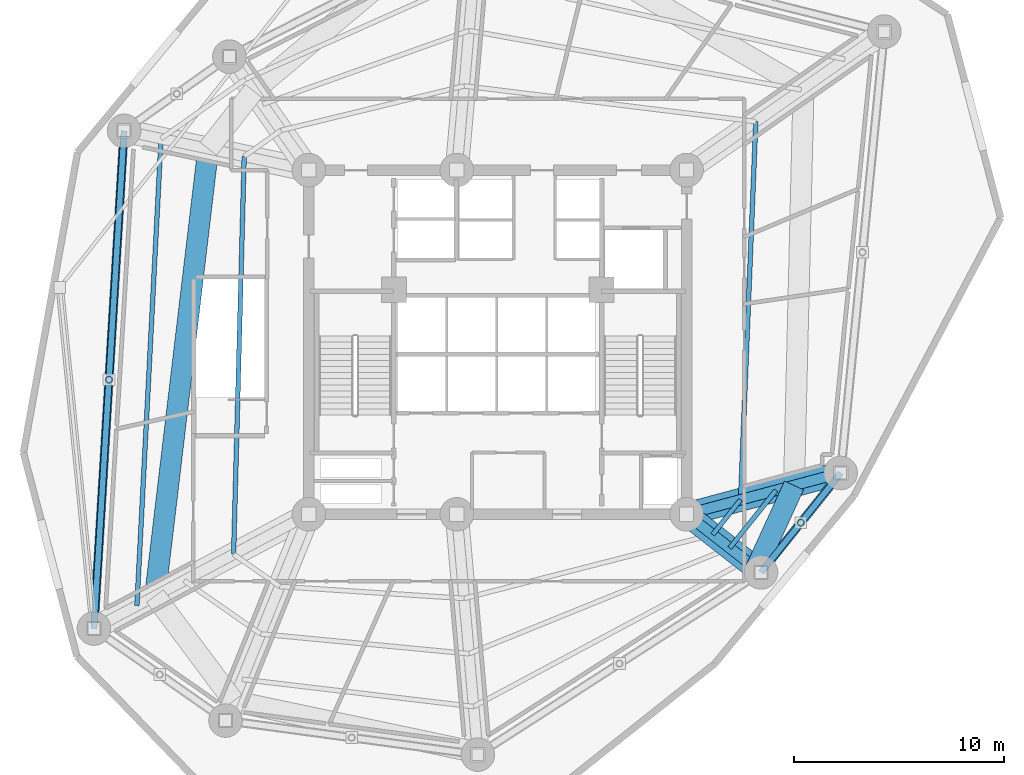
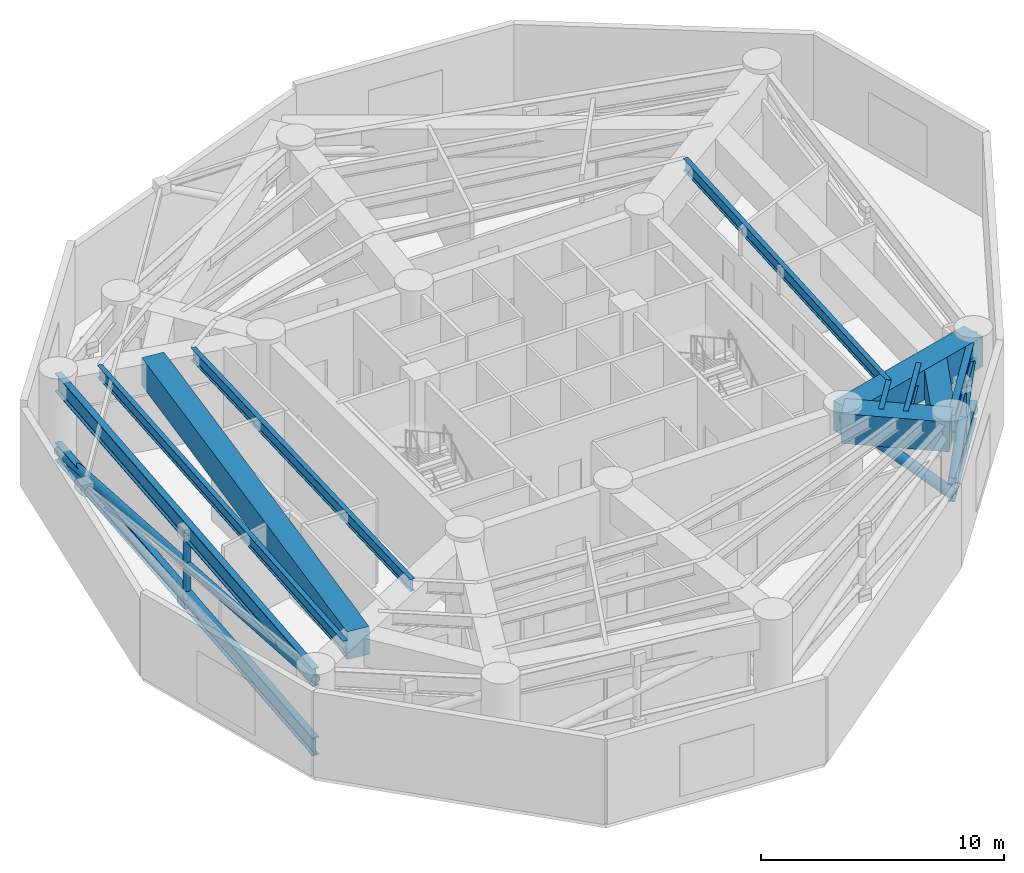
# One storey, part 3 of 13: 11 beams, 8 members.
"""IFC4 building model written with IfcOpenShell, lengths in metres."""

from ifc_helpers import new_model, si_unit, direction, frame, origin, origin_with_axes, origin_2d, place, context, subcontext, project, spatial, rectangle, hollow_circle, i_section, extrude, source, transform, mapped, material, material_profile, profile_set, type_object, element, save


model = new_model("IFC4")

# Units and contexts
model_context = context("Model", 3, precision=1e-05, world=origin(), true_north=direction((0.0, 1.0)))
body_context = subcontext(model_context, "Body", "Model", "MODEL_VIEW")
ifc_project = project(units=[si_unit("LENGTHUNIT", "METRE"), si_unit("AREAUNIT", "SQUARE_METRE"), si_unit("VOLUMEUNIT", "CUBIC_METRE"), si_unit("PLANEANGLEUNIT", "RADIAN"), si_unit("MASSUNIT", "GRAM", prefix="KILO")], contexts=[model_context])

# Site, building, storey
site_placement = place(None, origin())
site = spatial("IfcSite", under=ifc_project, at=site_placement, CompositionType="ELEMENT")
building_placement = place(site_placement, origin())
building = spatial("IfcBuilding", under=site, at=building_placement, Name="Karkom Vertical University and Central Library", CompositionType="ELEMENT")
storey_placement = place(building_placement, frame((0.0, 0.0, 87.699951171875)))
storey = spatial("IfcBuildingStorey", under=building, at=storey_placement, Name="P23", CompositionType="ELEMENT", Elevation=87.699951171875)

# Beams
ifc_material_1 = material(Name="Concrete C50/60", Category="concrete")
ifc_material_profile_1 = material_profile(ifc_material_1, rectangle(XDim=1.10009765625, YDim=1.5, at=origin_2d()), Name="TG-1100x1500")
ifc_profile_set_1 = profile_set([ifc_material_profile_1], Name="Concrete C50/60")
beam_type_1 = type_object("IfcBeamType", Name="STR-BM-TG-1", PredefinedType="USERDEFINED", material=ifc_profile_set_1)
shared_shape_1 = source(origin_with_axes(), body_context, "Body", "SweptSolid", [
    extrude(rectangle(XDim=1.10009765625, YDim=1.5, at=origin_2d()), origin(), (0.0, 0.0, 1.0), 7.60009765625),
])
beam_1_placement = place(storey_placement, frame((37.5, 18.300048828125, 3.525146484375), z_axis=(0.965925539322, 0.258820116077, 0.0), x_axis=(-0.258820116077, 0.965925539322, 0.0)))
element("IfcBeam", 1, at=beam_1_placement, inside=storey, type_object=beam_type_1, Name="Plant Level 23 Radial Frame Girder 01", ObjectType="GIRDER", PredefinedType="USERDEFINED", context=body_context, shape_type="MappedRepresentation", body=[
    mapped(shared_shape_1, transform((0.0, 0.0, 0.0), scale=1.0)),
])
shared_shape_2 = source(origin_with_axes(), body_context, "Body", "SweptSolid", [
    extrude(rectangle(XDim=1.10009765625, YDim=1.5, at=origin_2d()), origin(), (0.0, 0.0, 1.0), 4.49951171875),
])
beam_2_placement = place(storey_placement, frame((37.5, 18.300048828125, 3.525146484375), z_axis=(0.788047405801, -0.615614559778, 0.0), x_axis=(0.615614559778, 0.788047405801, 0.0)))
element("IfcBeam", 2, at=beam_2_placement, inside=storey, type_object=beam_type_1, Name="Plant Level 23 Radial Frame Girder 09", ObjectType="GIRDER", PredefinedType="USERDEFINED", context=body_context, shape_type="MappedRepresentation", body=[
    mapped(shared_shape_2, transform((0.0, 0.0, 0.0), scale=1.0)),
])
ifc_material_2 = material(Name="Steel S355", Category="steel")
ifc_material_profile_2 = material_profile(ifc_material_2, i_section(OverallWidth=0.219970703125, OverallDepth=0.60009765625, WebThickness=0.011962890625, FlangeThickness=0.01904296875, FilletRadius=0.02392578125, at=origin_2d()), Name="IPE 600")
ifc_profile_set_2 = profile_set([ifc_material_profile_2], Name="Steel S355")
beam_type_2 = type_object("IfcBeamType", Name="STR-BM-SB-IPE600", PredefinedType="BEAM", material=ifc_profile_set_2)
shared_shape_3 = source(origin_with_axes(), body_context, "Body", "SweptSolid", [
    extrude(i_section(OverallWidth=0.219970703125, OverallDepth=0.60009765625, WebThickness=0.011962890625, FlangeThickness=0.01904296875, FilletRadius=0.02392578125, at=origin_2d()), origin(), (0.0, 0.0, 1.0), 18.03466796875),
])
beam_3_placement = place(storey_placement, frame((40.0693359375, 18.988525390625, 3.97509765625), z_axis=(0.04035458262, 0.999185422062, 0.0), x_axis=(-0.999185422062, 0.04035458262, 0.0)))
element("IfcBeam", 3, at=beam_3_placement, inside=storey, type_object=beam_type_2, Name="Plant Level 23 Secondary Composite Floor Beam 1.01", PredefinedType="BEAM", context=body_context, shape_type="MappedRepresentation", body=[
    mapped(shared_shape_3, transform((0.0, 0.0, 0.0), scale=1.0)),
])
shared_shape_4 = source(origin_with_axes(), body_context, "Body", "SweptSolid", [
    extrude(i_section(OverallWidth=0.219970703125, OverallDepth=0.60009765625, WebThickness=0.011962890625, FlangeThickness=0.01904296875, FilletRadius=0.02392578125, at=origin_2d()), origin(), (0.0, 0.0, 1.0), 2.124267578125),
])
beam_4_placement = place(storey_placement, frame((38.7412109375, 17.33056640625, 3.97509765625), z_axis=(0.625199471959, 0.780465002587, 0.0), x_axis=(-0.780465002587, 0.625199471959, 0.0)))
element("IfcBeam", 4, at=beam_4_placement, inside=storey, type_object=beam_type_2, Name="Plant Level 23 Secondary Composite Floor Beam 1.09", PredefinedType="BEAM", context=body_context, shape_type="MappedRepresentation", body=[
    mapped(shared_shape_4, transform((0.0, 0.0, 0.0), scale=1.0)),
])
shared_shape_5 = source(origin_with_axes(), body_context, "Body", "SweptSolid", [
    extrude(i_section(OverallWidth=0.219970703125, OverallDepth=0.60009765625, WebThickness=0.011962890625, FlangeThickness=0.01904296875, FilletRadius=0.02392578125, at=origin_2d()), origin(), (0.0, 0.0, 1.0), 3.5205078125),
])
beam_5_placement = place(storey_placement, frame((39.556640625, 16.693359375, 3.97509765625), z_axis=(0.62523614548, 0.780435623473, 0.0), x_axis=(-0.780435623473, 0.62523614548, 0.0)))
element("IfcBeam", 5, at=beam_5_placement, inside=storey, type_object=beam_type_2, Name="Plant Level 23 Secondary Composite Floor Beam 2.09", PredefinedType="BEAM", context=body_context, shape_type="MappedRepresentation", body=[
    mapped(shared_shape_5, transform((0.0, 0.0, 0.0), scale=1.0)),
])
shared_shape_6 = source(origin_with_axes(), body_context, "Body", "SweptSolid", [
    extrude(i_section(OverallWidth=0.219970703125, OverallDepth=0.60009765625, WebThickness=0.011962890625, FlangeThickness=0.01904296875, FilletRadius=0.02392578125, at=origin_2d()), origin(), (0.0, 0.0, 1.0), 22.283447265625),
])
beam_6_placement = place(storey_placement, frame((12.45751953125, 36.19677734375, 3.97509765625), z_axis=(-0.051658288147, -0.998664819279, 0.0), x_axis=(0.998664819279, -0.051658288147, 0.0)))
element("IfcBeam", 6, at=beam_6_placement, inside=storey, type_object=beam_type_2, Name="Plant Level 23 Secondary Composite Floor Beam 3.05", PredefinedType="BEAM", context=body_context, shape_type="MappedRepresentation", body=[
    mapped(shared_shape_6, transform((0.0, 0.0, 0.0), scale=1.0)),
])
ifc_material_3 = material(Name="Steel S460", Category="steel")
ifc_material_profile_3 = material_profile(ifc_material_3, i_section(OverallWidth=0.300048828125, OverallDepth=0.89990234375, WebThickness=0.0185546875, FlangeThickness=0.034912109375, FilletRadius=0.030029296875, at=origin_2d()), Name="HE 900 B")
ifc_profile_set_3 = profile_set([ifc_material_profile_3], Name="Steel S460")
beam_type_3 = type_object("IfcBeamType", Name="STR-BM-SB-HE900", PredefinedType="USERDEFINED", material=ifc_profile_set_3)
shared_shape_7 = source(origin_with_axes(), body_context, "Body", "SweptSolid", [
    extrude(i_section(OverallWidth=0.300048828125, OverallDepth=0.89990234375, WebThickness=0.0185546875, FlangeThickness=0.034912109375, FilletRadius=0.030029296875, at=origin_2d()), origin(), (0.0, 0.0, 1.0), 23.7607421875),
])
beam_7_placement = place(storey_placement, frame((10.697021484375, 36.571044921875, 3.824951171875), z_axis=(-0.060560827767, -0.998164508556, 0.0), x_axis=(0.998164508556, -0.060560827767, 0.0)))
element("IfcBeam", 7, at=beam_7_placement, inside=storey, type_object=beam_type_3, Name="Plant Level 23 Perimeter Spandrel Beam 05", ObjectType="GIRDER", PredefinedType="USERDEFINED", context=body_context, shape_type="MappedRepresentation", body=[
    mapped(shared_shape_7, transform((0.0, 0.0, 0.0), scale=1.0)),
])
shared_shape_8 = source(origin_with_axes(), body_context, "Body", "SweptSolid", [
    extrude(i_section(OverallWidth=0.300048828125, OverallDepth=0.89990234375, WebThickness=0.0185546875, FlangeThickness=0.034912109375, FilletRadius=0.030029296875, at=origin_2d()), origin(), (0.0, 0.0, 1.0), 6.06982421875),
])
beam_8_placement = place(storey_placement, frame((41.0458984375, 15.530029296875, 3.824951171875), z_axis=(0.625249167344, 0.780425190992, 0.0), x_axis=(-0.780425190992, 0.625249167344, 0.0)))
element("IfcBeam", 8, at=beam_8_placement, inside=storey, type_object=beam_type_3, Name="Plant Level 23 Perimeter Spandrel Beam 09", ObjectType="GIRDER", PredefinedType="USERDEFINED", context=body_context, shape_type="MappedRepresentation", body=[
    mapped(shared_shape_8, transform((0.0, 0.0, 0.0), scale=1.0)),
])
ifc_material_profile_4 = material_profile(ifc_material_1, rectangle(XDim=1.0, YDim=1.39990234375, at=origin_2d()), Name="TG-1000x1400")
ifc_profile_set_4 = profile_set([ifc_material_profile_4], Name="Concrete C50/60")
beam_type_4 = type_object("IfcBeamType", Name="STR-BM-TG-2", PredefinedType="USERDEFINED", material=ifc_profile_set_4)
shared_shape_9 = source(origin_with_axes(), body_context, "Body", "SweptSolid", [
    extrude(rectangle(XDim=1.0, YDim=1.39990234375, at=origin_2d()), origin(), (0.0, 0.0, 1.0), 21.466064453125),
])
beam_9_placement = place(storey_placement, frame((14.70703125, 35.718994140625, 3.574951171875), z_axis=(-0.118088996795, -0.993003015522, 0.0), x_axis=(0.993003015522, -0.118088996795, 0.0)))
element("IfcBeam", 9, at=beam_9_placement, inside=storey, type_object=beam_type_4, Name="Plant Level 23 Upper Column Transfer Ring 05", ObjectType="GIRDER", PredefinedType="USERDEFINED", context=body_context, shape_type="MappedRepresentation", body=[
    mapped(shared_shape_9, transform((0.0, 0.0, 0.0), scale=1.0)),
])
shared_shape_10 = source(origin_with_axes(), body_context, "Body", "SweptSolid", [
    extrude(rectangle(XDim=1.0, YDim=1.39990234375, at=origin_2d()), origin(), (0.0, 0.0, 1.0), 4.351806640625),
])
beam_10_placement = place(storey_placement, frame((40.81005859375, 15.714111328125, 3.574951171875), z_axis=(0.415657668422, 0.909521139217, 0.0), x_axis=(-0.909521139217, 0.415657668422, 0.0)))
element("IfcBeam", 10, at=beam_10_placement, inside=storey, type_object=beam_type_4, Name="Plant Level 23 Upper Column Transfer Ring 09", ObjectType="GIRDER", PredefinedType="USERDEFINED", context=body_context, shape_type="MappedRepresentation", body=[
    mapped(shared_shape_10, transform((0.0, 0.0, 0.0), scale=1.0)),
])
shared_shape_11 = source(origin_with_axes(), body_context, "Body", "SweptSolid", [
    extrude(i_section(OverallWidth=0.219970703125, OverallDepth=0.60009765625, WebThickness=0.011962890625, FlangeThickness=0.01904296875, FilletRadius=0.02392578125, at=origin_2d()), origin(), (0.0, 0.0, 1.0), 18.967529296875),
])
beam_11_placement = place(storey_placement, frame((16.4189453125, 35.354736328125, 3.97509765625), z_axis=(-0.02655377727, -0.999647386288, 0.0), x_axis=(0.999647386288, -0.02655377727, 0.0)))
element("IfcBeam", 11, at=beam_11_placement, inside=storey, type_object=beam_type_2, Name="Plant Level 23 Secondary Composite Floor Beam 1.05", PredefinedType="BEAM", context=body_context, shape_type="MappedRepresentation", body=[
    mapped(shared_shape_11, transform((0.0, 0.0, 0.0), scale=1.0)),
])

# Members
ifc_material_profile_5 = material_profile(ifc_material_2, hollow_circle(Radius=0.161865234375, WallThickness=0.01611328125, at=origin_2d()), Name="CHS 323.9x16")
ifc_profile_set_5 = profile_set([ifc_material_profile_5], Name="Steel S355")
member_type_1 = type_object("IfcMemberType", Name="STR-MEM-PT-1", PredefinedType="POST", material=ifc_profile_set_5)
shared_shape_12 = source(origin_with_axes(), body_context, "Body", "SweptSolid", [
    extrude(hollow_circle(Radius=0.161865234375, WallThickness=0.01611328125, at=origin_2d()), origin(), (0.0, 0.0, 1.0), 3.375),
])
for number, where, z_axis, x_axis, name in (
    (12, (9.9775390625, 24.71240234375, 0.35009765625), (0.0, 0.0, 1.0), (1.0, 0.0, 0.0), "Plant Level 23 Belt Truss Web Post 05"),
    (13, (42.943603515625, 17.8984375, 0.35009765625), (0.0, 0.0, 1.0), (1.0, 0.0, 0.0), "Plant Level 23 Belt Truss Web Post 09"),
):
    element("IfcMember", number, at=place(storey_placement, frame(where, z_axis=z_axis, x_axis=x_axis)), inside=storey, type_object=member_type_1, Name=name, PredefinedType="POST", context=body_context, shape_type="MappedRepresentation", body=[
        mapped(shared_shape_12, transform((0.0, 0.0, 0.0), scale=1.0)),
    ])
ifc_material_profile_6 = material_profile(ifc_material_2, hollow_circle(Radius=0.203125, WallThickness=0.02001953125, at=origin_2d()), Name="CHS 406.4x20")
ifc_profile_set_6 = profile_set([ifc_material_profile_6], Name="Steel S355")
member_type_2 = type_object("IfcMemberType", Name="STR-MEM-BR-2", PredefinedType="BRACE", material=ifc_profile_set_6)
shared_shape_13 = source(origin_with_axes(), body_context, "Body", "SweptSolid", [
    extrude(hollow_circle(Radius=0.203125, WallThickness=0.02001953125, at=origin_2d()), origin(), (0.0, 0.0, 1.0), 23.999267578125),
])
member_1_placement = place(storey_placement, frame((10.697021484375, 36.571044921875, 0.35009765625), z_axis=(-0.059958987944, -0.9882449752, 0.140629971045), x_axis=(0.998164508556, -0.060560827767, 0.0)))
element("IfcMember", 14, at=member_1_placement, inside=storey, type_object=member_type_2, Name="Plant Level 23 Belt Truss Diagonal Brace 05", PredefinedType="BRACE", context=body_context, shape_type="MappedRepresentation", body=[
    mapped(shared_shape_13, transform((0.0, 0.0, 0.0), scale=1.0)),
])
ifc_material_profile_7 = material_profile(ifc_material_3, i_section(OverallWidth=0.300048828125, OverallDepth=0.89990234375, WebThickness=0.0185546875, FlangeThickness=0.034912109375, FilletRadius=0.030029296875, at=origin_2d()), Name="HE 900 B")
ifc_profile_set_7 = profile_set([ifc_material_profile_7], Name="Steel S460")
member_type_3 = type_object("IfcMemberType", Name="STR-MEM-CH-1", PredefinedType="CHORD", material=ifc_profile_set_7)
shared_shape_14 = source(origin_with_axes(), body_context, "Body", "SweptSolid", [
    extrude(i_section(OverallWidth=0.300048828125, OverallDepth=0.89990234375, WebThickness=0.0185546875, FlangeThickness=0.034912109375, FilletRadius=0.030029296875, at=origin_2d()), origin(), (0.0, 0.0, 1.0), 23.7607421875),
])
member_2_placement = place(storey_placement, frame((10.697021484375, 36.571044921875, 0.35009765625), z_axis=(-0.060560827767, -0.998164508556, 0.0), x_axis=(0.998164508556, -0.060560827767, 0.0)))
element("IfcMember", 15, at=member_2_placement, inside=storey, type_object=member_type_3, Name="Plant Level 23 Belt Truss Bottom Chord 05", PredefinedType="CHORD", context=body_context, shape_type="MappedRepresentation", body=[
    mapped(shared_shape_14, transform((0.0, 0.0, 0.0), scale=1.0)),
])
shared_shape_15 = source(origin_with_axes(), body_context, "Body", "SweptSolid", [
    extrude(hollow_circle(Radius=0.203125, WallThickness=0.02001953125, at=origin_2d()), origin(), (0.0, 0.0, 1.0), 6.945068359375),
])
member_3_placement = place(storey_placement, frame((41.0458984375, 15.530029296875, 0.35009765625), z_axis=(0.546456633617, 0.682077713868, 0.48595796096), x_axis=(-0.780425190992, 0.625249167344, 0.0)))
element("IfcMember", 16, at=member_3_placement, inside=storey, type_object=member_type_2, Name="Plant Level 23 Belt Truss Diagonal Brace 09", PredefinedType="BRACE", context=body_context, shape_type="MappedRepresentation", body=[
    mapped(shared_shape_15, transform((0.0, 0.0, 0.0), scale=1.0)),
])
shared_shape_16 = source(origin_with_axes(), body_context, "Body", "SweptSolid", [
    extrude(i_section(OverallWidth=0.300048828125, OverallDepth=0.89990234375, WebThickness=0.0185546875, FlangeThickness=0.034912109375, FilletRadius=0.030029296875, at=origin_2d()), origin(), (0.0, 0.0, 1.0), 6.06982421875),
])
member_4_placement = place(storey_placement, frame((41.0458984375, 15.530029296875, 0.35009765625), z_axis=(0.625249167344, 0.780425190992, 0.0), x_axis=(-0.780425190992, 0.625249167344, 0.0)))
element("IfcMember", 17, at=member_4_placement, inside=storey, type_object=member_type_3, Name="Plant Level 23 Belt Truss Bottom Chord 09", PredefinedType="CHORD", context=body_context, shape_type="MappedRepresentation", body=[
    mapped(shared_shape_16, transform((0.0, 0.0, 0.0), scale=1.0)),
])
ifc_material_profile_8 = material_profile(ifc_material_3, hollow_circle(Radius=0.25390625, WallThickness=0.02490234375, at=origin_2d()), Name="CHS 508x25")
ifc_profile_set_8 = profile_set([ifc_material_profile_8], Name="Steel S460")
member_type_4 = type_object("IfcMemberType", Name="STR-MEM-BR-1", PredefinedType="BRACE", material=ifc_profile_set_8)
shared_shape_17 = source(origin_with_axes(), body_context, "Body", "SweptSolid", [
    extrude(hollow_circle(Radius=0.25390625, WallThickness=0.02490234375, at=origin_2d()), origin(), (0.0, 0.0, 1.0), 8.315673828125),
])
member_5_placement = place(storey_placement, frame((37.5, 18.300048828125, 3.72509765625), z_axis=(0.88279422263, 0.236545048114, -0.405858104149), x_axis=(-0.258820116077, 0.965925539322, 0.0)))
element("IfcMember", 18, at=member_5_placement, inside=storey, type_object=member_type_4, Name="Plant Level 23 Outrigger Truss Diagonal 01", PredefinedType="BRACE", context=body_context, shape_type="MappedRepresentation", body=[
    mapped(shared_shape_17, transform((0.0, 0.0, 0.0), scale=1.0)),
])
shared_shape_18 = source(origin_with_axes(), body_context, "Body", "SweptSolid", [
    extrude(hollow_circle(Radius=0.25390625, WallThickness=0.02490234375, at=origin_2d()), origin(), (0.0, 0.0, 1.0), 5.624755859375),
])
member_6_placement = place(storey_placement, frame((37.5, 18.300048828125, 3.72509765625), z_axis=(0.630417770052, -0.492475903264, -0.600034098953), x_axis=(0.615614559778, 0.788047405801, 0.0)))
element("IfcMember", 19, at=member_6_placement, inside=storey, type_object=member_type_4, Name="Plant Level 23 Outrigger Truss Diagonal 09", PredefinedType="BRACE", context=body_context, shape_type="MappedRepresentation", body=[
    mapped(shared_shape_18, transform((0.0, 0.0, 0.0), scale=1.0)),
])

save(model, "model.ifc")
